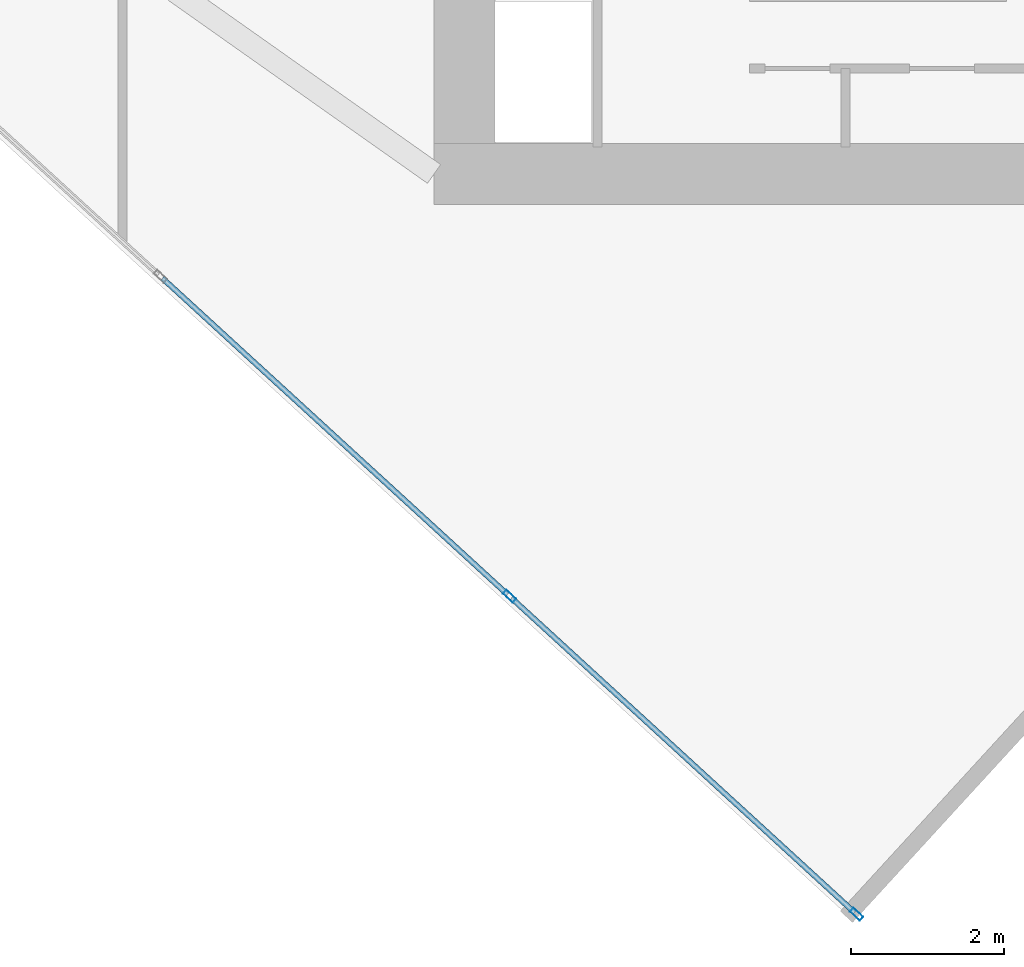
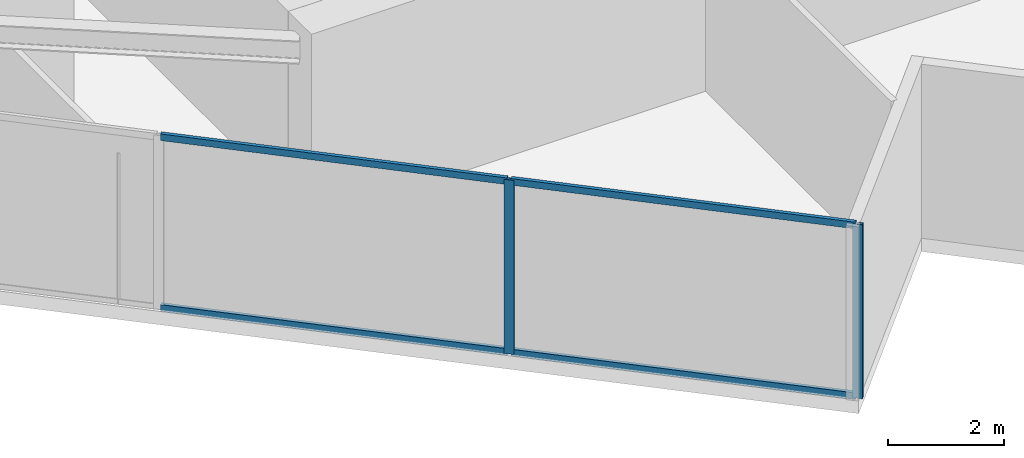
# One storey, part 3 of 26: 6 members, 1 element without a shape of its own.
"""IFC4 building model written with IfcOpenShell, lengths in metres."""

from ifc_helpers import new_model, si_unit, direction, frame, origin, origin_2d, place, context, subcontext, project, spatial, hollow_rectangle, extrude, source, transform, mapped, material, material_profile, profile_set, type_object, type_shapes, element, aggregate, save


model = new_model("IFC4")

# Units and contexts
model_context = context("Model", 3, precision=1e-05, world=origin(), true_north=direction((0.0, 1.0)))
body_context = subcontext(model_context, "Body", "Model", "MODEL_VIEW")
ifc_project = project(units=[si_unit("LENGTHUNIT", "METRE"), si_unit("AREAUNIT", "SQUARE_METRE"), si_unit("VOLUMEUNIT", "CUBIC_METRE"), si_unit("PLANEANGLEUNIT", "RADIAN"), si_unit("MASSUNIT", "GRAM", prefix="KILO")], contexts=[model_context])

# Site, building, storey
site_placement = place(None, origin())
site = spatial("IfcSite", under=ifc_project, at=site_placement, CompositionType="ELEMENT")
building_placement = place(site_placement, origin())
building = spatial("IfcBuilding", under=site, at=building_placement, Name="Krantzveldt Concourse Tower", CompositionType="ELEMENT")
storey_placement = place(building_placement, frame((0.0, 0.0, 223.10009765625)))
storey = spatial("IfcBuildingStorey", under=building, at=storey_placement, Name="L54", CompositionType="ELEMENT", Elevation=223.10009765625)

# Curtain wall, members
ifc_material = material(Name="Anodised aluminium 6063-T6", Category="aluminium")
curtain_wall_type = type_object("IfcCurtainWallType", Name="CW3", PredefinedType="USERDEFINED", material=ifc_material)
curtain_wall_placement = place(storey_placement, origin())
curtain_wall = element("IfcCurtainWall", 1, at=curtain_wall_placement, inside=storey, type_object=curtain_wall_type, Name="CW-L54-F04", ObjectType="UNITISED CURTAIN WALL", PredefinedType="USERDEFINED")
ifc_material_profile_1 = material_profile(ifc_material, hollow_rectangle(XDim=0.070068359375, YDim=0.179931640625, WallThickness=0.0048828125, at=origin_2d()), Name="Anodised aluminium 6063-T6", Category="aluminium")
ifc_profile_set_1 = profile_set([ifc_material_profile_1], Name="Anodised aluminium 6063-T6 - ALU-MULL 180x70x5")
member_type_1 = type_object("IfcMemberType", Name="CW-MUL-180", PredefinedType="MULLION", material=ifc_profile_set_1)
shared_shape_1 = source(origin(), body_context, "Body", "SweptSolid", [
    extrude(hollow_rectangle(XDim=0.070068359375, YDim=0.179931640625, WallThickness=0.0048828125, at=origin_2d()), origin(), (0.0, 0.0, 1.0), 3.669921875),
])
type_shapes(member_type_1, [shared_shape_1])
member_1_placement = place(storey_placement, frame((29.06787109375, 5.369140625, 0.0), z_axis=(0.0, 0.0, 1.0), x_axis=(0.675590053651, 0.737277477893, 0.0)))
member_1 = element("IfcMember", 2, at=member_1_placement, type_object=member_type_1, Name="CW-Z34 mullion 5", PredefinedType="MULLION", context=body_context, shape_type="MappedRepresentation", body=[
    mapped(shared_shape_1, transform((0.0, 0.0, 0.0), x_axis=(1.0, 0.0, 0.0), y_axis=(0.0, 1.0, 0.0), z_axis=(0.0, 0.0, 1.0), scale=1.0)),
])
member_2_placement = place(storey_placement, frame((33.61328125, 1.2041015625, 0.0), z_axis=(0.0, 0.0, 1.0), x_axis=(0.675590053651, 0.737277477893, 0.0)))
member_2 = element("IfcMember", 3, at=member_2_placement, type_object=member_type_1, Name="CW-Z34 mullion 6", PredefinedType="MULLION", context=body_context, shape_type="MappedRepresentation", body=[
    mapped(shared_shape_1, transform((0.0, 0.0, 0.0), x_axis=(1.0, 0.0, 0.0), y_axis=(0.0, 1.0, 0.0), z_axis=(0.0, 0.0, 1.0), scale=1.0)),
])
ifc_material_profile_2 = material_profile(ifc_material, hollow_rectangle(XDim=0.070068359375, YDim=0.139892578125, WallThickness=0.0048828125, at=origin_2d()), Name="Anodised aluminium 6063-T6", Category="aluminium")
ifc_profile_set_2 = profile_set([ifc_material_profile_2], Name="Anodised aluminium 6063-T6 - ALU-TRAN 140x70x5")
member_type_2 = type_object("IfcMemberType", Name="CW-TRN-150", PredefinedType="USERDEFINED", material=ifc_profile_set_2)
shared_shape_2 = source(origin(), body_context, "Body", "SweptSolid", [
    extrude(hollow_rectangle(XDim=0.070068359375, YDim=0.139892578125, WallThickness=0.0048828125, at=origin_2d()), origin(), (0.0, 0.0, 1.0), 6.094970703125),
])
member_3_placement = place(storey_placement, frame((29.09375, 5.345458984375, 0.034912109375), z_axis=(0.737277168993, -0.675590390755, 0.0), x_axis=(0.675590390755, 0.737277168993, 0.0)))
member_3 = element("IfcMember", 4, at=member_3_placement, type_object=member_type_2, Name="CW-Z34 transom 5.1", ObjectType="TRANSOM", PredefinedType="USERDEFINED", context=body_context, shape_type="MappedRepresentation", body=[
    mapped(shared_shape_2, transform((0.0, 0.0, 0.0), x_axis=(1.0, 0.0, 0.0), y_axis=(0.0, 1.0, 0.0), z_axis=(0.0, 0.0, 1.0), scale=1.0)),
])
member_4_placement = place(storey_placement, frame((29.09375, 5.345458984375, 3.635009765625), z_axis=(0.737277168993, -0.675590390755, 0.0), x_axis=(0.675590390755, 0.737277168993, 0.0)))
member_4 = element("IfcMember", 5, at=member_4_placement, type_object=member_type_2, Name="CW-Z34 transom 5.2", ObjectType="TRANSOM", PredefinedType="USERDEFINED", context=body_context, shape_type="MappedRepresentation", body=[
    mapped(shared_shape_2, transform((0.0, 0.0, 0.0), x_axis=(1.0, 0.0, 0.0), y_axis=(0.0, 1.0, 0.0), z_axis=(0.0, 0.0, 1.0), scale=1.0)),
])
shared_shape_3 = source(origin(), body_context, "Body", "SweptSolid", [
    extrude(hollow_rectangle(XDim=0.070068359375, YDim=0.139892578125, WallThickness=0.0048828125, at=origin_2d()), origin(), (0.0, 0.0, 1.0), 6.130126953125),
])
type_shapes(member_type_2, [shared_shape_2, shared_shape_3])
member_5_placement = place(storey_placement, frame((24.5224609375, 9.5341796875, 0.034912109375), z_axis=(0.737279770771, -0.675587551404, 0.0), x_axis=(0.675587551404, 0.737279770771, 0.0)))
member_5 = element("IfcMember", 6, at=member_5_placement, type_object=member_type_2, Name="CW-Z34 transom 4.1", ObjectType="TRANSOM", PredefinedType="USERDEFINED", context=body_context, shape_type="MappedRepresentation", body=[
    mapped(shared_shape_3, transform((0.0, 0.0, 0.0), x_axis=(1.0, 0.0, 0.0), y_axis=(0.0, 1.0, 0.0), z_axis=(0.0, 0.0, 1.0), scale=1.0)),
])
member_6_placement = place(storey_placement, frame((24.5224609375, 9.5341796875, 3.635009765625), z_axis=(0.737279770771, -0.675587551404, 0.0), x_axis=(0.675587551404, 0.737279770771, 0.0)))
member_6 = element("IfcMember", 7, at=member_6_placement, type_object=member_type_2, Name="CW-Z34 transom 4.2", ObjectType="TRANSOM", PredefinedType="USERDEFINED", context=body_context, shape_type="MappedRepresentation", body=[
    mapped(shared_shape_3, transform((0.0, 0.0, 0.0), x_axis=(1.0, 0.0, 0.0), y_axis=(0.0, 1.0, 0.0), z_axis=(0.0, 0.0, 1.0), scale=1.0)),
])
aggregate(curtain_wall, [member_1, member_2, member_5, member_6, member_3, member_4])

save(model, "model.ifc")
